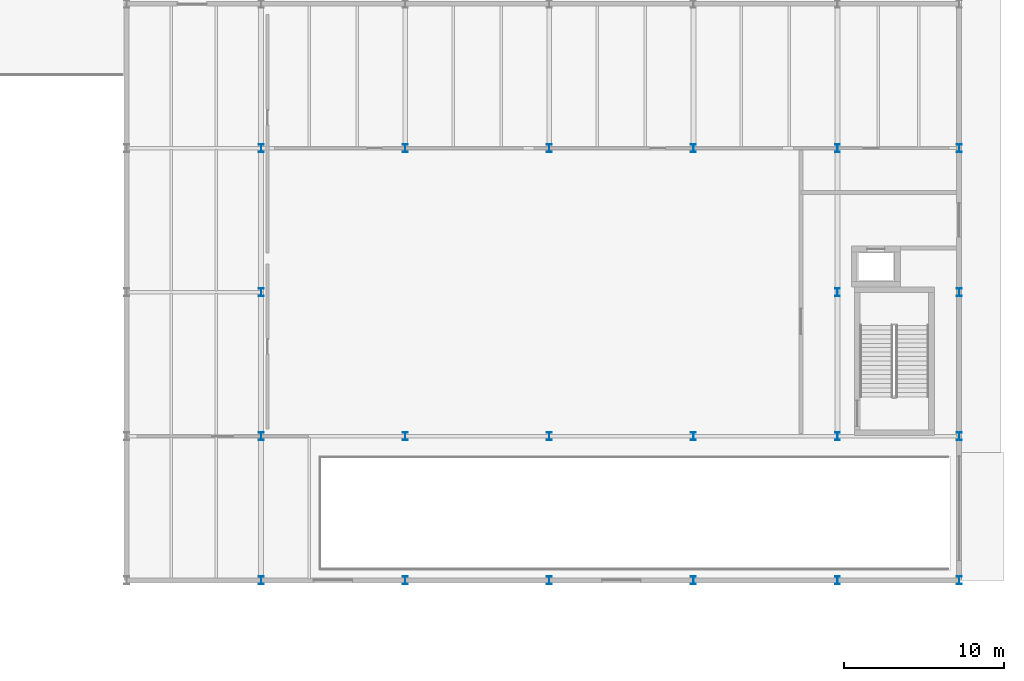
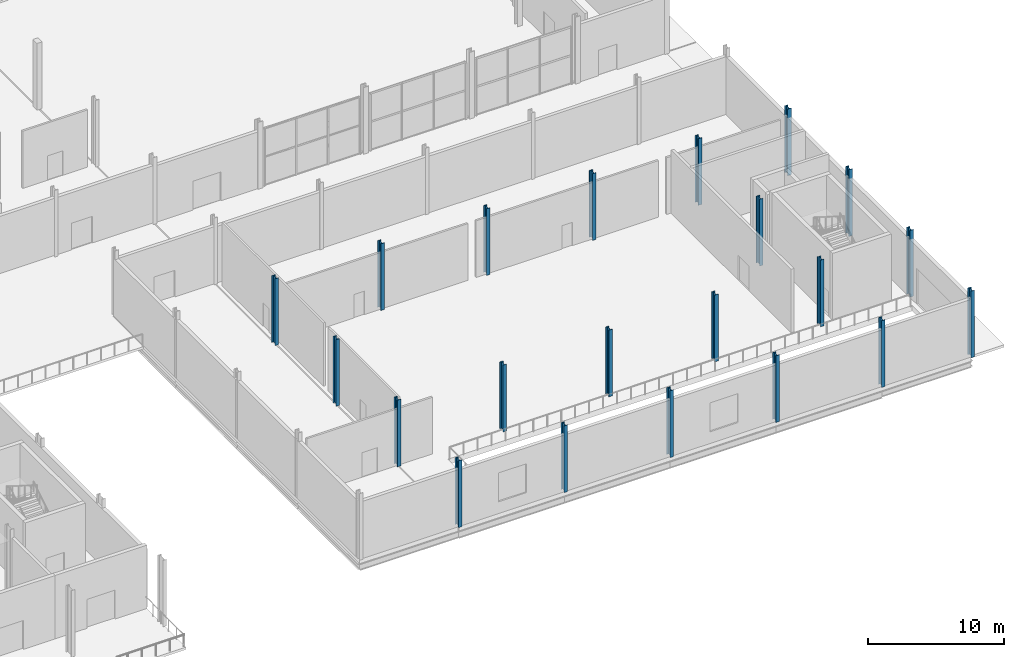
# One storey, part 14 of 84: 21 columns.
"""IFC4 building model written with IfcOpenShell, lengths in metres."""

from ifc_helpers import new_model, si_unit, direction, frame, origin, origin_2d, place, context, subcontext, project, spatial, i_section, extrude, material, material_profile, profile_set, type_object, element, save


model = new_model("IFC4")

# Units and contexts
model_context = context("Model", 3, precision=1e-05, world=origin(), true_north=direction((0.0, 1.0)))
body_context = subcontext(model_context, "Body", "Model", "MODEL_VIEW")
ifc_project = project(units=[si_unit("LENGTHUNIT", "METRE"), si_unit("AREAUNIT", "SQUARE_METRE"), si_unit("VOLUMEUNIT", "CUBIC_METRE"), si_unit("PLANEANGLEUNIT", "RADIAN"), si_unit("MASSUNIT", "GRAM", prefix="KILO")], contexts=[model_context])

# Site, building, storey
site_placement = place(None, origin())
site = spatial("IfcSite", under=ifc_project, at=site_placement, CompositionType="ELEMENT")
building_placement = place(site_placement, origin())
building = spatial("IfcBuilding", under=site, at=building_placement, Name="Sefraquen Railside Congress Hotel", CompositionType="ELEMENT")
storey_placement = place(building_placement, origin())
storey = spatial("IfcBuildingStorey", under=building, at=storey_placement, Name="L00", CompositionType="ELEMENT", Elevation=0.0)

# Columns
ifc_material = material(Name="Steel S355JR", Category="steel")
ifc_material_profile = material_profile(ifc_material, i_section(OverallWidth=0.300048828125, OverallDepth=0.5, WebThickness=0.014404296875, FlangeThickness=0.028076171875, FilletRadius=0.027099609375, at=origin_2d()), Name="HEB 500")
ifc_profile_set = profile_set([ifc_material_profile], Name="Steel S355JR")
column_type = type_object("IfcColumnType", Name="TC-HEB-500", PredefinedType="COLUMN", material=ifc_profile_set)
for number, where, z_axis, x_axis, name in (
    (1, (128.39990234375, 9.0, 0.0), (0.0, 0.0, 1.0), (1.0, 0.0, 0.0), "Structural column 17-B L00"),
    (2, (128.39990234375, 18.0, 0.0), (0.0, 0.0, 1.0), (1.0, 0.0, 0.0), "Structural column 17-C L00"),
    (3, (128.39990234375, 27.0, 0.0), (0.0, 0.0, 1.0), (1.0, 0.0, 0.0), "Structural column 17-D L00"),
    (4, (128.39990234375, 36.0, 0.0), (0.0, 0.0, 1.0), (1.0, 0.0, 0.0), "Structural column 17-E L00"),
    (5, (137.39990234375, 9.0, 0.0), (0.0, 0.0, 1.0), (1.0, 0.0, 0.0), "Structural column 18-B L00"),
    (6, (137.39990234375, 18.0, 0.0), (0.0, 0.0, 1.0), (1.0, 0.0, 0.0), "Structural column 18-C L00"),
    (7, (137.39990234375, 36.0, 0.0), (0.0, 0.0, 1.0), (1.0, 0.0, 0.0), "Structural column 18-E L00"),
    (8, (146.39990234375, 9.0, 0.0), (0.0, 0.0, 1.0), (1.0, 0.0, 0.0), "Structural column 19-B L00"),
    (9, (146.39990234375, 18.0, 0.0), (0.0, 0.0, 1.0), (1.0, 0.0, 0.0), "Structural column 19-C L00"),
    (10, (146.39990234375, 36.0, 0.0), (0.0, 0.0, 1.0), (1.0, 0.0, 0.0), "Structural column 19-E L00"),
    (11, (155.39990234375, 9.0, 0.0), (0.0, 0.0, 1.0), (1.0, 0.0, 0.0), "Structural column 20-B L00"),
    (12, (155.39990234375, 18.0, 0.0), (0.0, 0.0, 1.0), (1.0, 0.0, 0.0), "Structural column 20-C L00"),
    (13, (155.39990234375, 36.0, 0.0), (0.0, 0.0, 1.0), (1.0, 0.0, 0.0), "Structural column 20-E L00"),
    (14, (164.39990234375, 9.0, 0.0), (0.0, 0.0, 1.0), (1.0, 0.0, 0.0), "Structural column 21-B L00"),
    (15, (164.39990234375, 18.0, 0.0), (0.0, 0.0, 1.0), (1.0, 0.0, 0.0), "Structural column 21-C L00"),
    (16, (164.39990234375, 27.0, 0.0), (0.0, 0.0, 1.0), (1.0, 0.0, 0.0), "Structural column 21-D L00"),
    (17, (164.39990234375, 36.0, 0.0), (0.0, 0.0, 1.0), (1.0, 0.0, 0.0), "Structural column 21-E L00"),
    (18, (172.0, 9.0, 0.0), (0.0, 0.0, 1.0), (1.0, 0.0, 0.0), "Structural column 22-B L00"),
    (19, (172.0, 18.0, 0.0), (0.0, 0.0, 1.0), (1.0, 0.0, 0.0), "Structural column 22-C L00"),
    (20, (172.0, 27.0, 0.0), (0.0, 0.0, 1.0), (1.0, 0.0, 0.0), "Structural column 22-D L00"),
    (21, (172.0, 36.0, 0.0), (0.0, 0.0, 1.0), (1.0, 0.0, 0.0), "Structural column 22-E L00"),
):
    element("IfcColumn", number, at=place(storey_placement, frame(where, z_axis=z_axis, x_axis=x_axis)), inside=storey, type_object=column_type, Name=name, PredefinedType="COLUMN", context=body_context, shape_type="SweptSolid", body=[
        extrude(i_section(OverallWidth=0.300048828125, OverallDepth=0.5, WebThickness=0.014404296875, FlangeThickness=0.028076171875, FilletRadius=0.027099609375, at=origin_2d()), origin(), (0.0, 0.0, 1.0), 6.0),
    ])

save(model, "model.ifc")
